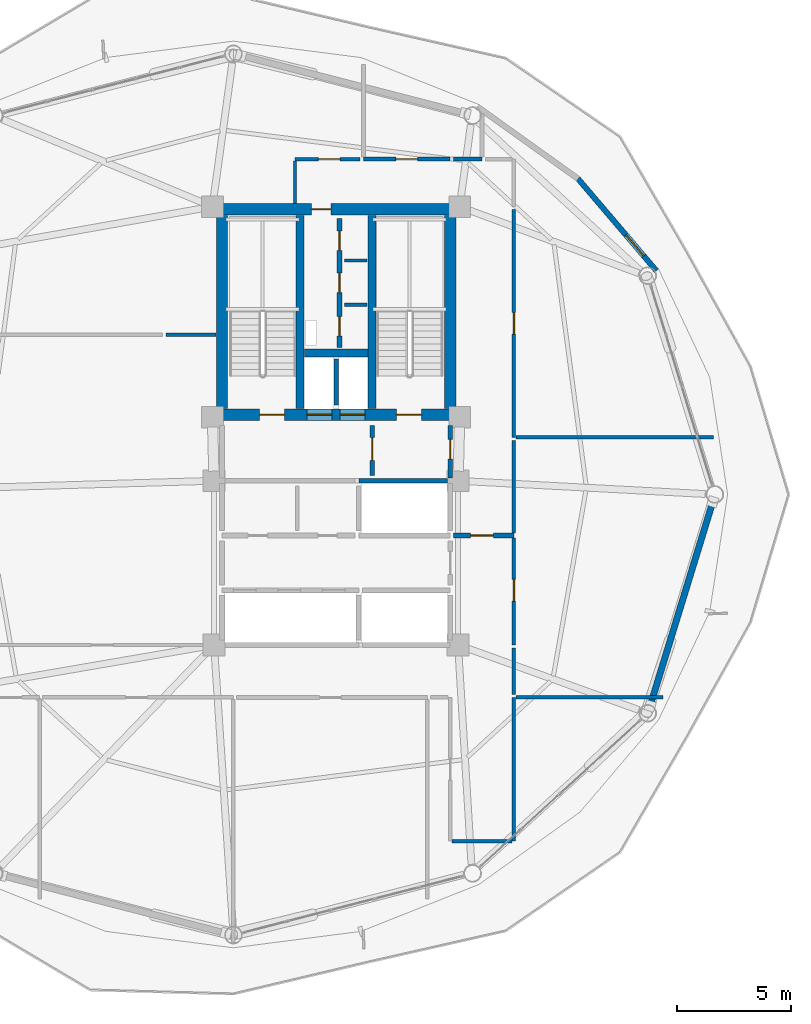
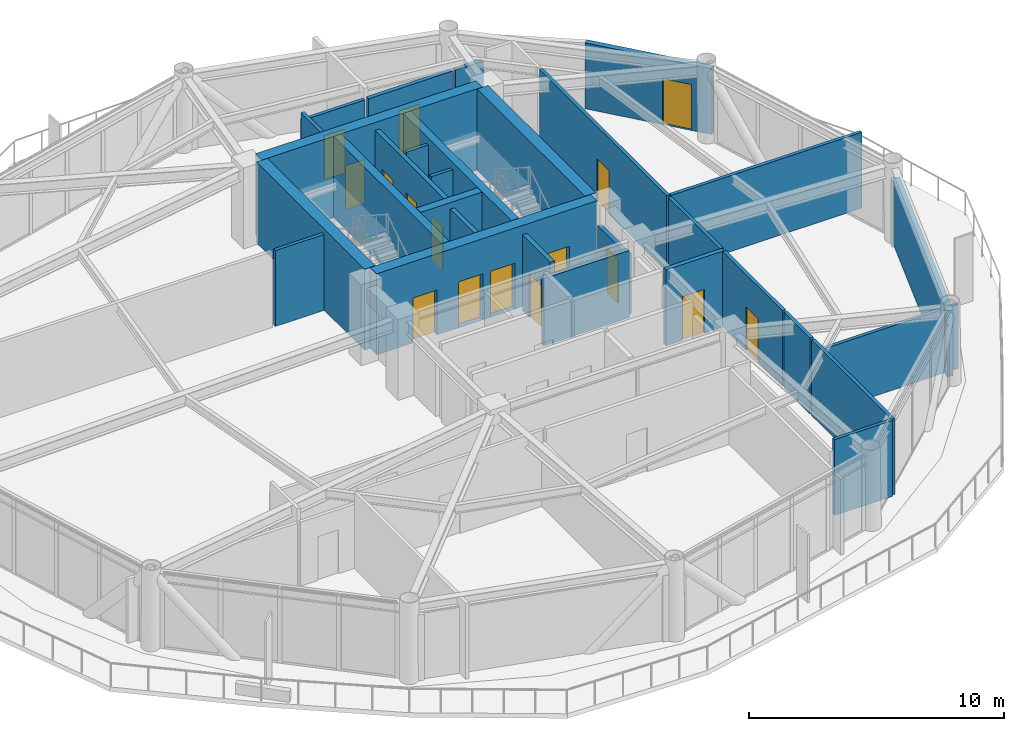
# One storey, part 19 of 23: 30 walls, 16 doors, 16 openings.
"""IFC4 building model written with IfcOpenShell, lengths in metres."""

from ifc_helpers import new_model, si_unit, direction, frame, frame_2d, origin, place, context, subcontext, project, spatial, rectangle, extrude, material, layer, layer_set, type_object, element, fill, save


model = new_model("IFC4")

# Units and contexts
model_context = context("Model", 3, precision=1e-05, world=origin(), true_north=direction((0.0, 1.0)))
body_context = subcontext(model_context, "Body", "Model", "MODEL_VIEW")
ifc_project = project(units=[si_unit("LENGTHUNIT", "METRE"), si_unit("AREAUNIT", "SQUARE_METRE"), si_unit("VOLUMEUNIT", "CUBIC_METRE"), si_unit("PLANEANGLEUNIT", "RADIAN"), si_unit("MASSUNIT", "GRAM", prefix="KILO")], contexts=[model_context])

# Site, building, storey
site_placement = place(None, origin())
site = spatial("IfcSite", under=ifc_project, at=site_placement, CompositionType="ELEMENT")
building_placement = place(site_placement, origin())
building = spatial("IfcBuilding", under=site, at=building_placement, Name="Varnakorn Sky Granary", CompositionType="ELEMENT")
storey_placement = place(building_placement, frame((0.0, 0.0, 130.5)))
storey = spatial("IfcBuildingStorey", under=building, at=storey_placement, Name="L32", CompositionType="ELEMENT", Elevation=130.5)

# Walls
ifc_material_1 = material(Name="Concrete C50/60", Category="concrete")
ifc_layer_1 = layer(ifc_material_1, 0.35009765625, Name="Concrete C50/60")
ifc_layer_set_1 = layer_set([ifc_layer_1], Name="Concrete C50/60")
wall_type_1 = type_object("IfcWallType", Name="WT-CW-INT-350", PredefinedType="SHEAR", material=ifc_layer_set_1)
for number, where, z_axis, x_axis, name in (
    (1, (1.419921875, 3.760009765625, 0.0), (0.0, 0.0, 1.0), (0.0, 1.0, 0.0), "Stair ST-1 Core Wall L32"),
    (2, (4.580078125, 3.760009765625, 0.0), (0.0, 0.0, 1.0), (0.0, 1.0, 0.0), "Stair ST-2 Core Wall L32"),
):
    element("IfcWall", number, at=place(storey_placement, frame(where, z_axis=z_axis, x_axis=x_axis)), inside=storey, type_object=wall_type_1, Name=name, PredefinedType="SHEAR", context=body_context, shape_type="SweptSolid", body=[
        extrude(rectangle(XDim=8.47998046875, YDim=0.35009765625, at=frame_2d((4.239990234375, 0.0))), origin(), (0.0, 0.0, 1.0), 3.89208984375),
    ])
wall_1_placement = place(storey_placement, frame((1.610107421875, 6.199951171875, 0.0), z_axis=(0.0, 0.0, 1.0), x_axis=(1.0, 0.0, 0.0)))
element("IfcWall", 3, at=wall_1_placement, inside=storey, type_object=wall_type_1, Name="Core Lift Shaft Cross Wall L32", PredefinedType="SHEAR", context=body_context, shape_type="SweptSolid", body=[
    extrude(rectangle(XDim=2.77978515625, YDim=0.35009765625, at=frame_2d((1.389892578125, 0.0))), origin(), (0.0, 0.0, 1.0), 3.89208984375),
])

# Wall, openings, doors
ifc_material_2 = material(Name="Concrete C60/75", Category="concrete")
ifc_layer_2 = layer(ifc_material_2, 0.5, Name="Concrete C60/75")
ifc_layer_set_2 = layer_set([ifc_layer_2], Name="Concrete C60/75")
wall_type_2 = type_object("IfcWallType", Name="WT-CW-SHEAR-500", PredefinedType="SHEAR", material=ifc_layer_set_2)
wall_2_placement = place(storey_placement, frame((-2.0, 3.5, 0.0), z_axis=(0.0, 0.0, 1.0), x_axis=(1.0, 0.0, 0.0)))
wall_2 = element("IfcWall", 4, at=wall_2_placement, inside=storey, type_object=wall_type_2, Name="Core South Shear Wall L32", PredefinedType="SHEAR", context=body_context, shape_type="SweptSolid", body=[
    extrude(rectangle(XDim=10.0, YDim=0.5, at=frame_2d((5.0, 0.0))), origin(), (0.0, 0.0, 1.0), 3.89208984375),
])
opening_1_placement = place(wall_2_placement, frame((1.64990234375, 0.0, 0.0)))
opening_1 = element("IfcOpeningElement", 5, at=opening_1_placement, cuts=wall_2, Name="Opening FD-90", PredefinedType="OPENING", context=body_context, shape_type="SweptSolid", body=[
    extrude(rectangle(XDim=1.10009765625, YDim=2.14990234375, at=frame_2d((0.550048828125, 1.074951171875))), frame((0.0, 0.260009765625, 0.0), z_axis=(0.0, -1.0, 0.0), x_axis=(1.0, 0.0, 0.0)), (0.0, 0.0, 1.0), 0.52001953125),
])
opening_2_placement = place(wall_2_placement, frame((7.64990234375, 0.0, 0.0)))
opening_2 = element("IfcOpeningElement", 6, at=opening_2_placement, cuts=wall_2, Name="Opening FD-90", PredefinedType="OPENING", context=body_context, shape_type="SweptSolid", body=[
    extrude(rectangle(XDim=1.10009765625, YDim=2.14990234375, at=frame_2d((0.550048828125, 1.074951171875))), frame((0.0, 0.260009765625, 0.0), z_axis=(0.0, -1.0, 0.0), x_axis=(1.0, 0.0, 0.0)), (0.0, 0.0, 1.0), 0.52001953125),
])
opening_3_placement = place(wall_2_placement, frame((3.719970703125, 0.0, 0.0)))
opening_3 = element("IfcOpeningElement", 7, at=opening_3_placement, cuts=wall_2, Name="Opening LD-01", PredefinedType="OPENING", context=body_context, shape_type="SweptSolid", body=[
    extrude(rectangle(XDim=1.10009765625, YDim=2.199951171875, at=frame_2d((0.550048828125, 1.10009765625))), frame((0.0, 0.260009765625, 0.0), z_axis=(0.0, -1.0, 0.0), x_axis=(1.0, 0.0, 0.0)), (0.0, 0.0, 1.0), 0.52001953125),
])
opening_4_placement = place(wall_2_placement, frame((5.179931640625, 0.0, 0.0)))
opening_4 = element("IfcOpeningElement", 8, at=opening_4_placement, cuts=wall_2, Name="Opening LD-01", PredefinedType="OPENING", context=body_context, shape_type="SweptSolid", body=[
    extrude(rectangle(XDim=1.10009765625, YDim=2.199951171875, at=frame_2d((0.550048828125, 1.10009765625))), frame((0.0, 0.260009765625, 0.0), z_axis=(0.0, -1.0, 0.0), x_axis=(1.0, 0.0, 0.0)), (0.0, 0.0, 1.0), 0.52001953125),
])
ifc_material_3 = material(Name="Brushed Bronze Stainless Steel", Category="steel")
door_type_1 = type_object("IfcDoorType", Name="DR-LD-1100", OperationType="DOUBLE_DOOR_SLIDING", PredefinedType="DOOR", material=ifc_material_3)
door_1_placement = place(opening_3_placement, origin())
door_1 = element("IfcDoor", 9, at=door_1_placement, inside=storey, type_object=door_type_1, Name="Firefighting Lift FFL-1 Landing Door L32", OperationType="DOUBLE_DOOR_SLIDING", OverallHeight=2.199951171875, OverallWidth=1.10009765625, PredefinedType="DOOR", context=body_context, shape_type="SweptSolid", body=[
    extrude(rectangle(XDim=1.10009765625, YDim=2.199951171875, at=frame_2d((0.550048828125, 1.10009765625))), frame((0.0, 0.02490234375, 0.0), z_axis=(0.0, -1.0, 0.0), x_axis=(1.0, 0.0, 0.0)), (0.0, 0.0, 1.0), 0.050048828125),
])
fill(opening_3, door_1)
door_2_placement = place(opening_4_placement, origin())
door_2 = element("IfcDoor", 10, at=door_2_placement, inside=storey, type_object=door_type_1, Name="Firefighting Lift FFL-2 Landing Door L32", OperationType="DOUBLE_DOOR_SLIDING", OverallHeight=2.199951171875, OverallWidth=1.10009765625, PredefinedType="DOOR", context=body_context, shape_type="SweptSolid", body=[
    extrude(rectangle(XDim=1.10009765625, YDim=2.199951171875, at=frame_2d((0.550048828125, 1.10009765625))), frame((0.0, 0.02490234375, 0.0), z_axis=(0.0, -1.0, 0.0), x_axis=(1.0, 0.0, 0.0)), (0.0, 0.0, 1.0), 0.050048828125),
])
fill(opening_4, door_2)
ifc_material_4 = material(Name="Galvanised Painted Steel Leaf", Category="steel")
door_type_2 = type_object("IfcDoorType", Name="DR-STAIR-1100", OperationType="NOTDEFINED", PredefinedType="DOOR", material=ifc_material_4)
door_3_placement = place(opening_1_placement, origin())
door_3 = element("IfcDoor", 11, at=door_3_placement, inside=storey, type_object=door_type_2, Name="Stair ST-1 Protected Fire Door L32", OperationType="SINGLE_SWING_LEFT", OverallHeight=2.14990234375, OverallWidth=1.10009765625, PredefinedType="DOOR", context=body_context, shape_type="SweptSolid", body=[
    extrude(rectangle(XDim=1.10009765625, YDim=2.14990234375, at=frame_2d((0.550048828125, 1.074951171875))), frame((0.0, 0.02490234375, 0.0), z_axis=(0.0, -1.0, 0.0), x_axis=(1.0, 0.0, 0.0)), (0.0, 0.0, 1.0), 0.050048828125),
])
fill(opening_1, door_3)
door_4_placement = place(opening_2_placement, origin())
door_4 = element("IfcDoor", 12, at=door_4_placement, inside=storey, type_object=door_type_2, Name="Stair ST-2 Protected Fire Door L32", OperationType="SINGLE_SWING_RIGHT", OverallHeight=2.14990234375, OverallWidth=1.10009765625, PredefinedType="DOOR", context=body_context, shape_type="SweptSolid", body=[
    extrude(rectangle(XDim=1.10009765625, YDim=2.14990234375, at=frame_2d((0.550048828125, 1.074951171875))), frame((0.0, 0.02490234375, 0.0), z_axis=(0.0, -1.0, 0.0), x_axis=(1.0, 0.0, 0.0)), (0.0, 0.0, 1.0), 0.050048828125),
])
fill(opening_2, door_4)

# Wall, opening, door
wall_3_placement = place(storey_placement, frame((-2.0, 12.5, 0.0), z_axis=(0.0, 0.0, 1.0), x_axis=(1.0, 0.0, 0.0)))
wall_3 = element("IfcWall", 13, at=wall_3_placement, inside=storey, type_object=wall_type_2, Name="Core North Shear Wall L32", PredefinedType="SHEAR", context=body_context, shape_type="SweptSolid", body=[
    extrude(rectangle(XDim=10.0, YDim=0.5, at=frame_2d((5.0, 0.0))), origin(), (0.0, 0.0, 1.0), 3.89208984375),
])
opening_5_placement = place(wall_3_placement, frame((3.919921875, 0.0, 0.0)))
opening_5 = element("IfcOpeningElement", 14, at=opening_5_placement, cuts=wall_3, Name="Opening FD-60N", PredefinedType="OPENING", context=body_context, shape_type="SweptSolid", body=[
    extrude(rectangle(XDim=0.85009765625, YDim=2.10009765625, at=frame_2d((0.425048828125, 1.050048828125))), frame((0.0, 0.260009765625, 0.0), z_axis=(0.0, -1.0, 0.0), x_axis=(1.0, 0.0, 0.0)), (0.0, 0.0, 1.0), 0.52001953125),
])
ifc_material_5 = material(Name="Acoustic Timber Fire Leaf", Category="wood")
door_type_3 = type_object("IfcDoorType", Name="DR-FD60-850", OperationType="NOTDEFINED", PredefinedType="DOOR", material=ifc_material_5)
door_5_placement = place(opening_5_placement, origin())
door_5 = element("IfcDoor", 15, at=door_5_placement, inside=storey, type_object=door_type_3, Name="Core North Service Door L32", OperationType="SINGLE_SWING_RIGHT", OverallHeight=2.10009765625, OverallWidth=0.85009765625, PredefinedType="DOOR", context=body_context, shape_type="SweptSolid", body=[
    extrude(rectangle(XDim=0.85009765625, YDim=2.10009765625, at=frame_2d((0.425048828125, 1.050048828125))), frame((0.0, 0.02490234375, 0.0), z_axis=(0.0, -1.0, 0.0), x_axis=(1.0, 0.0, 0.0)), (0.0, 0.0, 1.0), 0.050048828125),
])
fill(opening_5, door_5)

# Walls
for number, where, z_axis, x_axis, name in (
    (16, (-2.0, 3.760009765625, 0.0), (0.0, 0.0, 1.0), (0.0, 1.0, 0.0), "Core West Shear Wall L32"),
    (17, (8.0, 3.760009765625, 0.0), (0.0, 0.0, 1.0), (0.0, 1.0, 0.0), "Core East Shear Wall L32"),
):
    element("IfcWall", number, at=place(storey_placement, frame(where, z_axis=z_axis, x_axis=x_axis)), inside=storey, type_object=wall_type_2, Name=name, PredefinedType="SHEAR", context=body_context, shape_type="SweptSolid", body=[
        extrude(rectangle(XDim=8.47998046875, YDim=0.5, at=frame_2d((4.239990234375, 0.0))), origin(), (0.0, 0.0, 1.0), 3.89208984375),
    ])

# Wall, opening, door
ifc_material_6 = material(Name="Precast concrete C40/50", Category="concrete")
ifc_layer_3 = layer(ifc_material_6, 0.239990234375, Name="Precast concrete C40/50")
ifc_layer_set_3 = layer_set([ifc_layer_3], Name="Precast concrete C40/50")
wall_type_3 = type_object("IfcWallType", Name="WT-EW-BAL-260", PredefinedType="SOLIDWALL", material=ifc_layer_set_3)
wall_4_placement = place(storey_placement, frame((13.60888671875, 13.84228515625, 0.0), z_axis=(0.0, 0.0, 1.0), x_axis=(0.648453593644, -0.76125418678, 0.0)))
wall_4 = element("IfcWall", 18, at=wall_4_placement, inside=storey, type_object=wall_type_3, Name="Balcony Threshold Facade Wall L32-B02A", PredefinedType="SOLIDWALL", context=body_context, shape_type="SweptSolid", body=[
    extrude(rectangle(XDim=5.296142578125, YDim=0.239990234375, at=frame_2d((2.64794921875, 0.0))), origin(), (0.0, 0.0, 1.0), 3.159912109375),
])
opening_6_placement = place(wall_4_placement, frame((3.24609375, 0.0, 0.0)))
opening_6 = element("IfcOpeningElement", 19, at=opening_6_placement, cuts=wall_4, Name="Opening BD-01", PredefinedType="OPENING", context=body_context, shape_type="SweptSolid", body=[
    extrude(rectangle(XDim=1.199951171875, YDim=2.199951171875, at=frame_2d((0.60009765625, 1.10009765625))), frame((0.0, 0.1298828125, 0.0), z_axis=(0.0, -1.0, 0.0), x_axis=(1.0, 0.0, 0.0)), (0.0, 0.0, 1.0), 0.260009765625),
])
ifc_material_7 = material(Name="Anodised Bronze Aluminium Alloy 6063-T6", Category="aluminium")
door_type_4 = type_object("IfcDoorType", Name="DR-BAL-1200", OperationType="NOTDEFINED", PredefinedType="DOOR", material=ifc_material_7)
door_6_placement = place(opening_6_placement, origin())
door_6 = element("IfcDoor", 20, at=door_6_placement, inside=storey, type_object=door_type_4, Name="Sky-Farm Balcony Access Door L32", OperationType="SINGLE_SWING_RIGHT", OverallHeight=2.199951171875, OverallWidth=1.199951171875, PredefinedType="DOOR", context=body_context, shape_type="SweptSolid", body=[
    extrude(rectangle(XDim=1.199951171875, YDim=2.199951171875, at=frame_2d((0.60009765625, 1.10009765625))), frame((0.0, 0.02490234375, 0.0), z_axis=(0.0, -1.0, 0.0), x_axis=(1.0, 0.0, 0.0)), (0.0, 0.0, 1.0), 0.050048828125),
])
fill(opening_6, door_6)

# Wall
ifc_layer_4 = layer(ifc_material_6, 0.280029296875, Name="Precast concrete C40/50")
ifc_layer_set_4 = layer_set([ifc_layer_4], Name="Precast concrete C40/50")
wall_type_4 = type_object("IfcWallType", Name="WT-EW-CRN-280", PredefinedType="SOLIDWALL", material=ifc_layer_set_4)
wall_5_placement = place(storey_placement, frame((19.518310546875, -0.3212890625, 0.0), z_axis=(0.0, 0.0, 1.0), x_axis=(-0.293497787305, -0.955959752734, 0.0)))
element("IfcWall", 21, at=wall_5_placement, inside=storey, type_object=wall_type_4, Name="Agritech Insulated Precast Facade Wall L32-P12", PredefinedType="SOLIDWALL", context=body_context, shape_type="SweptSolid", body=[
    extrude(rectangle(XDim=9.365478515625, YDim=0.280029296875, at=frame_2d((4.6826171875, 0.0))), origin(), (0.0, 0.0, 1.0), 3.159912109375),
])

# Wall, openings, doors
ifc_material_8 = material(Name="Autoclaved Aerated Concrete Blockwork", Category="masonry")
ifc_layer_5 = layer(ifc_material_8, 0.199951171875, Name="Autoclaved Aerated Concrete Blockwork")
ifc_layer_set_5 = layer_set([ifc_layer_5], Name="Autoclaved Aerated Concrete Blockwork")
wall_type_5 = type_object("IfcWallType", Name="WT-FIRE-200", PredefinedType="MOVABLE", material=ifc_layer_set_5)
wall_6_placement = place(storey_placement, frame((3.14990234375, 6.449951171875, 0.0), z_axis=(0.0, 0.0, 1.0), x_axis=(0.0, 1.0, 0.0)))
wall_6 = element("IfcWall", 22, at=wall_6_placement, inside=storey, type_object=wall_type_5, Name="Interior Partition Wall L32-013", PredefinedType="MOVABLE", context=body_context, shape_type="SweptSolid", body=[
    extrude(rectangle(XDim=5.650146484375, YDim=0.199951171875, at=frame_2d((2.8251953125, 0.0))), origin(), (0.0, 0.0, 1.0), 3.639892578125),
])
opening_7_placement = place(wall_6_placement, frame((0.5, 0.0, 0.0)))
opening_7 = element("IfcOpeningElement", 23, at=opening_7_placement, cuts=wall_6, Name="Opening FD-60N", PredefinedType="OPENING", context=body_context, shape_type="SweptSolid", body=[
    extrude(rectangle(XDim=0.85009765625, YDim=2.10009765625, at=frame_2d((0.425048828125, 1.050048828125))), frame((0.0, 0.10986328125, 0.0), z_axis=(0.0, -1.0, 0.0), x_axis=(1.0, 0.0, 0.0)), (0.0, 0.0, 1.0), 0.219970703125),
])
opening_8_placement = place(wall_6_placement, frame((2.39990234375, 0.0, 0.0)))
opening_8 = element("IfcOpeningElement", 24, at=opening_8_placement, cuts=wall_6, Name="Opening FD-60N", PredefinedType="OPENING", context=body_context, shape_type="SweptSolid", body=[
    extrude(rectangle(XDim=0.85009765625, YDim=2.10009765625, at=frame_2d((0.425048828125, 1.050048828125))), frame((0.0, 0.10986328125, 0.0), z_axis=(0.0, -1.0, 0.0), x_axis=(1.0, 0.0, 0.0)), (0.0, 0.0, 1.0), 0.219970703125),
])
opening_9_placement = place(wall_6_placement, frame((4.25, 0.0, 0.0)))
opening_9 = element("IfcOpeningElement", 25, at=opening_9_placement, cuts=wall_6, Name="Opening FD-60N", PredefinedType="OPENING", context=body_context, shape_type="SweptSolid", body=[
    extrude(rectangle(XDim=0.85009765625, YDim=2.10009765625, at=frame_2d((0.425048828125, 1.050048828125))), frame((0.0, 0.10986328125, 0.0), z_axis=(0.0, -1.0, 0.0), x_axis=(1.0, 0.0, 0.0)), (0.0, 0.0, 1.0), 0.219970703125),
])
door_7_placement = place(opening_7_placement, origin())
door_7 = element("IfcDoor", 26, at=door_7_placement, inside=storey, type_object=door_type_3, Name="Interior Door L32-013-1", OperationType="SINGLE_SWING_LEFT", OverallHeight=2.10009765625, OverallWidth=0.85009765625, PredefinedType="DOOR", context=body_context, shape_type="SweptSolid", body=[
    extrude(rectangle(XDim=0.85009765625, YDim=2.10009765625, at=frame_2d((0.425048828125, 1.050048828125))), frame((0.0, 0.02490234375, 0.0), z_axis=(0.0, -1.0, 0.0), x_axis=(1.0, 0.0, 0.0)), (0.0, 0.0, 1.0), 0.050048828125),
])
fill(opening_7, door_7)
door_8_placement = place(opening_8_placement, origin())
door_8 = element("IfcDoor", 27, at=door_8_placement, inside=storey, type_object=door_type_3, Name="Interior Door L32-013-2", OperationType="SINGLE_SWING_RIGHT", OverallHeight=2.10009765625, OverallWidth=0.85009765625, PredefinedType="DOOR", context=body_context, shape_type="SweptSolid", body=[
    extrude(rectangle(XDim=0.85009765625, YDim=2.10009765625, at=frame_2d((0.425048828125, 1.050048828125))), frame((0.0, 0.02490234375, 0.0), z_axis=(0.0, -1.0, 0.0), x_axis=(1.0, 0.0, 0.0)), (0.0, 0.0, 1.0), 0.050048828125),
])
fill(opening_8, door_8)
door_9_placement = place(opening_9_placement, origin())
door_9 = element("IfcDoor", 28, at=door_9_placement, inside=storey, type_object=door_type_3, Name="Interior Door L32-013-3", OperationType="SINGLE_SWING_LEFT", OverallHeight=2.10009765625, OverallWidth=0.85009765625, PredefinedType="DOOR", context=body_context, shape_type="SweptSolid", body=[
    extrude(rectangle(XDim=0.85009765625, YDim=2.10009765625, at=frame_2d((0.425048828125, 1.050048828125))), frame((0.0, 0.02490234375, 0.0), z_axis=(0.0, -1.0, 0.0), x_axis=(1.0, 0.0, 0.0)), (0.0, 0.0, 1.0), 0.050048828125),
])
fill(opening_9, door_9)

# Wall, opening, door
wall_7_placement = place(storey_placement, frame((4.580078125, 0.830078125, 0.0), z_axis=(0.0, 0.0, 1.0), x_axis=(0.0, 1.0, 0.0)))
wall_7 = element("IfcWall", 29, at=wall_7_placement, inside=storey, type_object=wall_type_5, Name="Interior Partition Wall L32-014", PredefinedType="MOVABLE", context=body_context, shape_type="SweptSolid", body=[
    extrude(rectangle(XDim=2.18994140625, YDim=0.199951171875, at=frame_2d((1.094970703125, 0.0))), origin(), (0.0, 0.0, 1.0), 3.639892578125),
])
opening_10_placement = place(wall_7_placement, frame((0.659912109375, 0.0, 0.0)))
opening_10 = element("IfcOpeningElement", 30, at=opening_10_placement, cuts=wall_7, Name="Opening FD-60", PredefinedType="OPENING", context=body_context, shape_type="SweptSolid", body=[
    extrude(rectangle(XDim=1.0, YDim=2.10009765625, at=frame_2d((0.5, 1.050048828125))), frame((0.0, 0.10986328125, 0.0), z_axis=(0.0, -1.0, 0.0), x_axis=(1.0, 0.0, 0.0)), (0.0, 0.0, 1.0), 0.219970703125),
])
door_type_5 = type_object("IfcDoorType", Name="DR-FD60-1000", OperationType="NOTDEFINED", PredefinedType="DOOR", material=ifc_material_5)
door_10_placement = place(opening_10_placement, origin())
door_10 = element("IfcDoor", 31, at=door_10_placement, inside=storey, type_object=door_type_5, Name="Interior Door L32-014-1", OperationType="SINGLE_SWING_RIGHT", OverallHeight=2.10009765625, OverallWidth=1.0, PredefinedType="DOOR", context=body_context, shape_type="SweptSolid", body=[
    extrude(rectangle(XDim=1.0, YDim=2.10009765625, at=frame_2d((0.5, 1.050048828125))), frame((0.0, 0.02490234375, 0.0), z_axis=(0.0, -1.0, 0.0), x_axis=(1.0, 0.0, 0.0)), (0.0, 0.0, 1.0), 0.050048828125),
])
fill(opening_10, door_10)

wall_8_placement = place(storey_placement, frame((8.0, 0.719970703125, 0.0), z_axis=(0.0, 0.0, 1.0), x_axis=(0.0, 1.0, 0.0)))
wall_8 = element("IfcWall", 32, at=wall_8_placement, inside=storey, type_object=wall_type_5, Name="Interior Partition Wall L32-015", PredefinedType="MOVABLE", context=body_context, shape_type="SweptSolid", body=[
    extrude(rectangle(XDim=2.300048828125, YDim=0.199951171875, at=frame_2d((1.14990234375, 0.0))), origin(), (0.0, 0.0, 1.0), 2.8720703125),
])
opening_11_placement = place(wall_8_placement, frame((0.844970703125, 0.0, 0.0)))
opening_11 = element("IfcOpeningElement", 33, at=opening_11_placement, cuts=wall_8, Name="Opening FD-60N", PredefinedType="OPENING", context=body_context, shape_type="SweptSolid", body=[
    extrude(rectangle(XDim=0.85009765625, YDim=2.10009765625, at=frame_2d((0.425048828125, 1.050048828125))), frame((0.0, 0.10986328125, 0.0), z_axis=(0.0, -1.0, 0.0), x_axis=(1.0, 0.0, 0.0)), (0.0, 0.0, 1.0), 0.219970703125),
])
door_11_placement = place(opening_11_placement, origin())
door_11 = element("IfcDoor", 34, at=door_11_placement, inside=storey, type_object=door_type_3, Name="Interior Door L32-015-1", OperationType="SINGLE_SWING_LEFT", OverallHeight=2.10009765625, OverallWidth=0.85009765625, PredefinedType="DOOR", context=body_context, shape_type="SweptSolid", body=[
    extrude(rectangle(XDim=0.85009765625, YDim=2.10009765625, at=frame_2d((0.425048828125, 1.050048828125))), frame((0.0, 0.02490234375, 0.0), z_axis=(0.0, -1.0, 0.0), x_axis=(1.0, 0.0, 0.0)), (0.0, 0.0, 1.0), 0.050048828125),
])
fill(opening_11, door_11)

wall_9_placement = place(storey_placement, frame((8.159912109375, -1.800048828125, 0.0), z_axis=(0.0, 0.0, 1.0), x_axis=(1.0, 0.0, 0.0)))
wall_9 = element("IfcWall", 35, at=wall_9_placement, inside=storey, type_object=wall_type_5, Name="Interior Partition Wall L32-018", PredefinedType="MOVABLE", context=body_context, shape_type="SweptSolid", body=[
    extrude(rectangle(XDim=2.64013671875, YDim=0.199951171875, at=frame_2d((1.320068359375, 0.0))), origin(), (0.0, 0.0, 1.0), 3.639892578125),
])
opening_12_placement = place(wall_9_placement, frame((0.739990234375, 0.0, 0.0)))
opening_12 = element("IfcOpeningElement", 36, at=opening_12_placement, cuts=wall_9, Name="Opening FD-60", PredefinedType="OPENING", context=body_context, shape_type="SweptSolid", body=[
    extrude(rectangle(XDim=1.0, YDim=2.10009765625, at=frame_2d((0.5, 1.050048828125))), frame((0.0, 0.10986328125, 0.0), z_axis=(0.0, -1.0, 0.0), x_axis=(1.0, 0.0, 0.0)), (0.0, 0.0, 1.0), 0.219970703125),
])
door_12_placement = place(opening_12_placement, origin())
door_12 = element("IfcDoor", 37, at=door_12_placement, inside=storey, type_object=door_type_5, Name="Interior Door L32-018-1", OperationType="SINGLE_SWING_LEFT", OverallHeight=2.10009765625, OverallWidth=1.0, PredefinedType="DOOR", context=body_context, shape_type="SweptSolid", body=[
    extrude(rectangle(XDim=1.0, YDim=2.10009765625, at=frame_2d((0.5, 1.050048828125))), frame((0.0, 0.02490234375, 0.0), z_axis=(0.0, -1.0, 0.0), x_axis=(1.0, 0.0, 0.0)), (0.0, 0.0, 1.0), 0.050048828125),
])
fill(opening_12, door_12)

ifc_material_9 = material(Name="Gypsum Plasterboard on Steel Stud", Category="steel")
ifc_layer_6 = layer(ifc_material_9, 0.14990234375, Name="Gypsum Plasterboard on Steel Stud")
ifc_layer_set_6 = layer_set([ifc_layer_6], Name="Gypsum Plasterboard on Steel Stud")
wall_type_6 = type_object("IfcWallType", Name="WT-PART-150", PredefinedType="PARTITIONING", material=ifc_layer_set_6)
wall_10_placement = place(storey_placement, frame((4.050048828125, 14.699951171875, 0.0), z_axis=(0.0, 0.0, 1.0), x_axis=(-1.0, 0.0, 0.0)))
wall_10 = element("IfcWall", 38, at=wall_10_placement, inside=storey, type_object=wall_type_6, Name="Interior Partition Wall L32-025", PredefinedType="PARTITIONING", context=body_context, shape_type="SweptSolid", body=[
    extrude(rectangle(XDim=2.85009765625, YDim=0.14990234375, at=frame_2d((1.425048828125, 0.0))), origin(), (0.0, 0.0, 1.0), 3.221923828125),
])
opening_13_placement = place(wall_10_placement, frame((0.875, 0.0, 0.0)))
opening_13 = element("IfcOpeningElement", 39, at=opening_13_placement, cuts=wall_10, Name="Opening ID-95", PredefinedType="OPENING", context=body_context, shape_type="SweptSolid", body=[
    extrude(rectangle(XDim=0.949951171875, YDim=2.10009765625, at=frame_2d((0.47509765625, 1.050048828125))), frame((0.0, 0.0849609375, 0.0), z_axis=(0.0, -1.0, 0.0), x_axis=(1.0, 0.0, 0.0)), (0.0, 0.0, 1.0), 0.169921875),
])
ifc_material_10 = material(Name="Solid-Core Teak Veneer Leaf", Category="timber")
door_type_6 = type_object("IfcDoorType", Name="DR-INT-950", OperationType="NOTDEFINED", PredefinedType="DOOR", material=ifc_material_10)
door_13_placement = place(opening_13_placement, origin())
door_13 = element("IfcDoor", 40, at=door_13_placement, inside=storey, type_object=door_type_6, Name="Interior Door L32-025-1", OperationType="SINGLE_SWING_RIGHT", OverallHeight=2.10009765625, OverallWidth=0.949951171875, PredefinedType="DOOR", context=body_context, shape_type="SweptSolid", body=[
    extrude(rectangle(XDim=0.949951171875, YDim=2.10009765625, at=frame_2d((0.47509765625, 1.050048828125))), frame((0.0, 0.02490234375, 0.0), z_axis=(0.0, -1.0, 0.0), x_axis=(1.0, 0.0, 0.0)), (0.0, 0.0, 1.0), 0.050048828125),
])
fill(opening_13, door_13)

wall_11_placement = place(storey_placement, frame((10.800048828125, -6.60009765625, 0.0), z_axis=(0.0, 0.0, 1.0), x_axis=(0.0, 1.0, 0.0)))
wall_11 = element("IfcWall", 41, at=wall_11_placement, inside=storey, type_object=wall_type_6, Name="Interior Partition Wall L32-026", PredefinedType="PARTITIONING", context=body_context, shape_type="SweptSolid", body=[
    extrude(rectangle(XDim=4.690185546875, YDim=0.14990234375, at=frame_2d((2.34521484375, 0.0))), origin(), (0.0, 0.0, 1.0), 3.639892578125),
])
opening_14_placement = place(wall_11_placement, frame((1.925048828125, 0.0, 0.0)))
opening_14 = element("IfcOpeningElement", 42, at=opening_14_placement, cuts=wall_11, Name="Opening ID-95", PredefinedType="OPENING", context=body_context, shape_type="SweptSolid", body=[
    extrude(rectangle(XDim=0.949951171875, YDim=2.10009765625, at=frame_2d((0.47509765625, 1.050048828125))), frame((0.0, 0.0849609375, 0.0), z_axis=(0.0, -1.0, 0.0), x_axis=(1.0, 0.0, 0.0)), (0.0, 0.0, 1.0), 0.169921875),
])
door_14_placement = place(opening_14_placement, origin())
door_14 = element("IfcDoor", 43, at=door_14_placement, inside=storey, type_object=door_type_6, Name="Interior Door L32-026-1", OperationType="SINGLE_SWING_LEFT", OverallHeight=2.10009765625, OverallWidth=0.949951171875, PredefinedType="DOOR", context=body_context, shape_type="SweptSolid", body=[
    extrude(rectangle(XDim=0.949951171875, YDim=2.10009765625, at=frame_2d((0.47509765625, 1.050048828125))), frame((0.0, 0.02490234375, 0.0), z_axis=(0.0, -1.0, 0.0), x_axis=(1.0, 0.0, 0.0)), (0.0, 0.0, 1.0), 0.050048828125),
])
fill(opening_14, door_14)

wall_12_placement = place(storey_placement, frame((10.800048828125, 2.5, 0.0), z_axis=(0.0, 0.0, 1.0), x_axis=(0.0, 1.0, 0.0)))
wall_12 = element("IfcWall", 44, at=wall_12_placement, inside=storey, type_object=wall_type_6, Name="Interior Partition Wall L32-027", PredefinedType="PARTITIONING", context=body_context, shape_type="SweptSolid", body=[
    extrude(rectangle(XDim=10.0, YDim=0.14990234375, at=frame_2d((5.0, 0.0))), origin(), (0.0, 0.0, 1.0), 3.639892578125),
])
opening_15_placement = place(wall_12_placement, frame((4.52490234375, 0.0, 0.0)))
opening_15 = element("IfcOpeningElement", 45, at=opening_15_placement, cuts=wall_12, Name="Opening ID-95", PredefinedType="OPENING", context=body_context, shape_type="SweptSolid", body=[
    extrude(rectangle(XDim=0.949951171875, YDim=2.10009765625, at=frame_2d((0.47509765625, 1.050048828125))), frame((0.0, 0.0849609375, 0.0), z_axis=(0.0, -1.0, 0.0), x_axis=(1.0, 0.0, 0.0)), (0.0, 0.0, 1.0), 0.169921875),
])
door_15_placement = place(opening_15_placement, origin())
door_15 = element("IfcDoor", 46, at=door_15_placement, inside=storey, type_object=door_type_6, Name="Interior Door L32-027-1", OperationType="SINGLE_SWING_RIGHT", OverallHeight=2.10009765625, OverallWidth=0.949951171875, PredefinedType="DOOR", context=body_context, shape_type="SweptSolid", body=[
    extrude(rectangle(XDim=0.949951171875, YDim=2.10009765625, at=frame_2d((0.47509765625, 1.050048828125))), frame((0.0, 0.02490234375, 0.0), z_axis=(0.0, -1.0, 0.0), x_axis=(1.0, 0.0, 0.0)), (0.0, 0.0, 1.0), 0.050048828125),
])
fill(opening_15, door_15)

# Walls
for number, where, z_axis, x_axis, name in (
    (47, (3.3701171875, 8.320068359375, 0.0), (0.0, 0.0, 1.0), (1.0, 0.0, 0.0), "Interior Partition Wall L32-028"),
    (48, (3.3701171875, 10.260009765625, 0.0), (0.0, 0.0, 1.0), (1.0, 0.0, 0.0), "Interior Partition Wall L32-029"),
):
    element("IfcWall", number, at=place(storey_placement, frame(where, z_axis=z_axis, x_axis=x_axis)), inside=storey, type_object=wall_type_6, Name=name, PredefinedType="PARTITIONING", context=body_context, shape_type="SweptSolid", body=[
        extrude(rectangle(XDim=0.97998046875, YDim=0.14990234375, at=frame_2d((0.489990234375, 0.0))), origin(), (0.0, 0.0, 1.0), 3.639892578125),
    ])
wall_13_placement = place(storey_placement, frame((10.800048828125, -15.199951171875, 0.0), z_axis=(0.0, 0.0, 1.0), x_axis=(0.0, 1.0, 0.0)))
element("IfcWall", 49, at=wall_13_placement, inside=storey, type_object=wall_type_6, Name="Interior Partition Wall L32-040", PredefinedType="PARTITIONING", context=body_context, shape_type="SweptSolid", body=[
    extrude(rectangle(XDim=6.300048828125, YDim=0.14990234375, at=frame_2d((3.14990234375, 0.0))), origin(), (0.0, 0.0, 1.0), 3.639892578125),
])
wall_14_placement = place(storey_placement, frame((8.0849609375, -15.199951171875, 0.0), z_axis=(0.0, 0.0, 1.0), x_axis=(1.0, 0.0, 0.0)))
element("IfcWall", 50, at=wall_14_placement, inside=storey, type_object=wall_type_6, Name="Interior Partition Wall L32-041", PredefinedType="PARTITIONING", context=body_context, shape_type="SweptSolid", body=[
    extrude(rectangle(XDim=2.630126953125, YDim=0.14990234375, at=frame_2d((1.31494140625, 0.0))), origin(), (0.0, 0.0, 1.0), 3.639892578125),
])
wall_15_placement = place(storey_placement, frame((10.885009765625, -8.89990234375, 0.0), z_axis=(0.0, 0.0, 1.0), x_axis=(1.0, 0.0, 0.0)))
element("IfcWall", 51, at=wall_15_placement, inside=storey, type_object=wall_type_6, Name="Interior Partition Wall L32-043", PredefinedType="PARTITIONING", context=body_context, shape_type="SweptSolid", body=[
    extrude(rectangle(XDim=6.45703125, YDim=0.14990234375, at=frame_2d((3.228515625, 0.0))), origin(), (0.0, 0.0, 1.0), 3.072021484375),
])
wall_16_placement = place(storey_placement, frame((-4.465087890625, 7.0, 0.0), z_axis=(0.0, 0.0, 1.0), x_axis=(1.0, 0.0, 0.0)))
element("IfcWall", 52, at=wall_16_placement, inside=storey, type_object=wall_type_6, Name="Interior Partition Wall L32-046", PredefinedType="PARTITIONING", context=body_context, shape_type="SweptSolid", body=[
    extrude(rectangle(XDim=2.205078125, YDim=0.14990234375, at=frame_2d((1.1025390625, 0.0))), origin(), (0.0, 0.0, 1.0), 3.639892578125),
])
wall_17_placement = place(storey_placement, frame((1.199951171875, 14.614990234375, 0.0), z_axis=(0.0, 0.0, 1.0), x_axis=(0.0, -1.0, 0.0)))
element("IfcWall", 53, at=wall_17_placement, inside=storey, type_object=wall_type_6, Name="Interior Partition Wall L32-047", PredefinedType="PARTITIONING", context=body_context, shape_type="SweptSolid", body=[
    extrude(rectangle(XDim=1.85498046875, YDim=0.14990234375, at=frame_2d((0.927490234375, 0.0))), origin(), (0.0, 0.0, 1.0), 3.639892578125),
])
wall_18_placement = place(storey_placement, frame((10.800048828125, -8.764892578125, 0.0), z_axis=(0.0, 0.0, 1.0), x_axis=(0.0, 1.0, 0.0)))
element("IfcWall", 54, at=wall_18_placement, inside=storey, type_object=wall_type_6, Name="Interior Partition Wall L32-049", PredefinedType="PARTITIONING", context=body_context, shape_type="SweptSolid", body=[
    extrude(rectangle(XDim=2.02978515625, YDim=0.14990234375, at=frame_2d((1.014892578125, 0.0))), origin(), (0.0, 0.0, 1.0), 3.639892578125),
])
wall_19_placement = place(storey_placement, frame((10.800048828125, -1.68994140625, 0.0), z_axis=(0.0, 0.0, 1.0), x_axis=(0.0, 1.0, 0.0)))
element("IfcWall", 55, at=wall_19_placement, inside=storey, type_object=wall_type_6, Name="Interior Partition Wall L32-050", PredefinedType="PARTITIONING", context=body_context, shape_type="SweptSolid", body=[
    extrude(rectangle(XDim=4.054931640625, YDim=0.14990234375, at=frame_2d((2.02734375, 0.0))), origin(), (0.0, 0.0, 1.0), 3.639892578125),
])
wall_20_placement = place(storey_placement, frame((10.885009765625, 2.5, 0.0), z_axis=(0.0, 0.0, 1.0), x_axis=(1.0, 0.0, 0.0)))
element("IfcWall", 56, at=wall_20_placement, inside=storey, type_object=wall_type_6, Name="Interior Partition Wall L32-051", PredefinedType="PARTITIONING", context=body_context, shape_type="SweptSolid", body=[
    extrude(rectangle(XDim=8.660888671875, YDim=0.14990234375, at=frame_2d((4.33056640625, 0.0))), origin(), (0.0, 0.0, 1.0), 3.639892578125),
])

# Wall, opening, door
ifc_material_11 = material(Name="Moisture-Resistant Gypsum on Stud", Category="gypsum")
ifc_layer_7 = layer(ifc_material_11, 0.179931640625, Name="Moisture-Resistant Gypsum on Stud")
ifc_layer_set_7 = layer_set([ifc_layer_7], Name="Moisture-Resistant Gypsum on Stud")
wall_type_7 = type_object("IfcWallType", Name="WT-PLUMB-180", PredefinedType="PLUMBINGWALL", material=ifc_layer_set_7)
wall_21_placement = place(storey_placement, frame((8.0, 14.699951171875, 0.0), z_axis=(0.0, 0.0, 1.0), x_axis=(-1.0, 0.0, 0.0)))
wall_21 = element("IfcWall", 57, at=wall_21_placement, inside=storey, type_object=wall_type_7, Name="Interior Partition Wall L32-019", PredefinedType="PLUMBINGWALL", context=body_context, shape_type="SweptSolid", body=[
    extrude(rectangle(XDim=3.800048828125, YDim=0.179931640625, at=frame_2d((1.89990234375, 0.0))), origin(), (0.0, 0.0, 1.0), 3.221923828125),
])
opening_16_placement = place(wall_21_placement, frame((1.425048828125, 0.0, 0.0)))
opening_16 = element("IfcOpeningElement", 58, at=opening_16_placement, cuts=wall_21, Name="Opening ID-95", PredefinedType="OPENING", context=body_context, shape_type="SweptSolid", body=[
    extrude(rectangle(XDim=0.949951171875, YDim=2.10009765625, at=frame_2d((0.47509765625, 1.050048828125))), frame((0.0, 0.10009765625, 0.0), z_axis=(0.0, -1.0, 0.0), x_axis=(1.0, 0.0, 0.0)), (0.0, 0.0, 1.0), 0.199951171875),
])
door_16_placement = place(opening_16_placement, origin())
door_16 = element("IfcDoor", 59, at=door_16_placement, inside=storey, type_object=door_type_6, Name="Interior Door L32-019-1", OperationType="SINGLE_SWING_RIGHT", OverallHeight=2.10009765625, OverallWidth=0.949951171875, PredefinedType="DOOR", context=body_context, shape_type="SweptSolid", body=[
    extrude(rectangle(XDim=0.949951171875, YDim=2.10009765625, at=frame_2d((0.47509765625, 1.050048828125))), frame((0.0, 0.02490234375, 0.0), z_axis=(0.0, -1.0, 0.0), x_axis=(1.0, 0.0, 0.0)), (0.0, 0.0, 1.0), 0.050048828125),
])
fill(opening_16, door_16)

# Walls
wall_22_placement = place(storey_placement, frame((9.39990234375, 14.699951171875, 0.0), z_axis=(0.0, 0.0, 1.0), x_axis=(-1.0, 0.0, 0.0)))
element("IfcWall", 60, at=wall_22_placement, inside=storey, type_object=wall_type_7, Name="Interior Partition Wall L32-035", PredefinedType="PLUMBINGWALL", context=body_context, shape_type="SweptSolid", body=[
    extrude(rectangle(XDim=1.25, YDim=0.179931640625, at=frame_2d((0.625, 0.0))), origin(), (0.0, 0.0, 1.0), 3.221923828125),
])
ifc_layer_8 = layer(ifc_material_8, 0.199951171875, Name="Autoclaved Aerated Concrete Blockwork")
ifc_layer_set_8 = layer_set([ifc_layer_8], Name="Autoclaved Aerated Concrete Blockwork")
wall_type_8 = type_object("IfcWallType", Name="WT-SHAFT-200", PredefinedType="SOLIDWALL", material=ifc_layer_set_8)
wall_23_placement = place(storey_placement, frame((3.0, 3.919921875, 0.0), z_axis=(0.0, 0.0, 1.0), x_axis=(0.0, 1.0, 0.0)))
element("IfcWall", 61, at=wall_23_placement, inside=storey, type_object=wall_type_8, Name="Interior Partition Wall L32-001", PredefinedType="SOLIDWALL", context=body_context, shape_type="SweptSolid", body=[
    extrude(rectangle(XDim=2.030029296875, YDim=0.199951171875, at=frame_2d((1.01513671875, 0.0))), origin(), (0.0, 0.0, 1.0), 3.639892578125),
])
wall_24_placement = place(storey_placement, frame((4.0, 0.60009765625, 0.0), z_axis=(0.0, 0.0, 1.0), x_axis=(1.0, 0.0, 0.0)))
element("IfcWall", 62, at=wall_24_placement, inside=storey, type_object=wall_type_8, Name="Interior Partition Wall L32-002", PredefinedType="SOLIDWALL", context=body_context, shape_type="SweptSolid", body=[
    extrude(rectangle(XDim=3.8798828125, YDim=0.199951171875, at=frame_2d((1.93994140625, 0.0))), origin(), (0.0, 0.0, 1.0), 3.221923828125),
])

save(model, "model.ifc")
